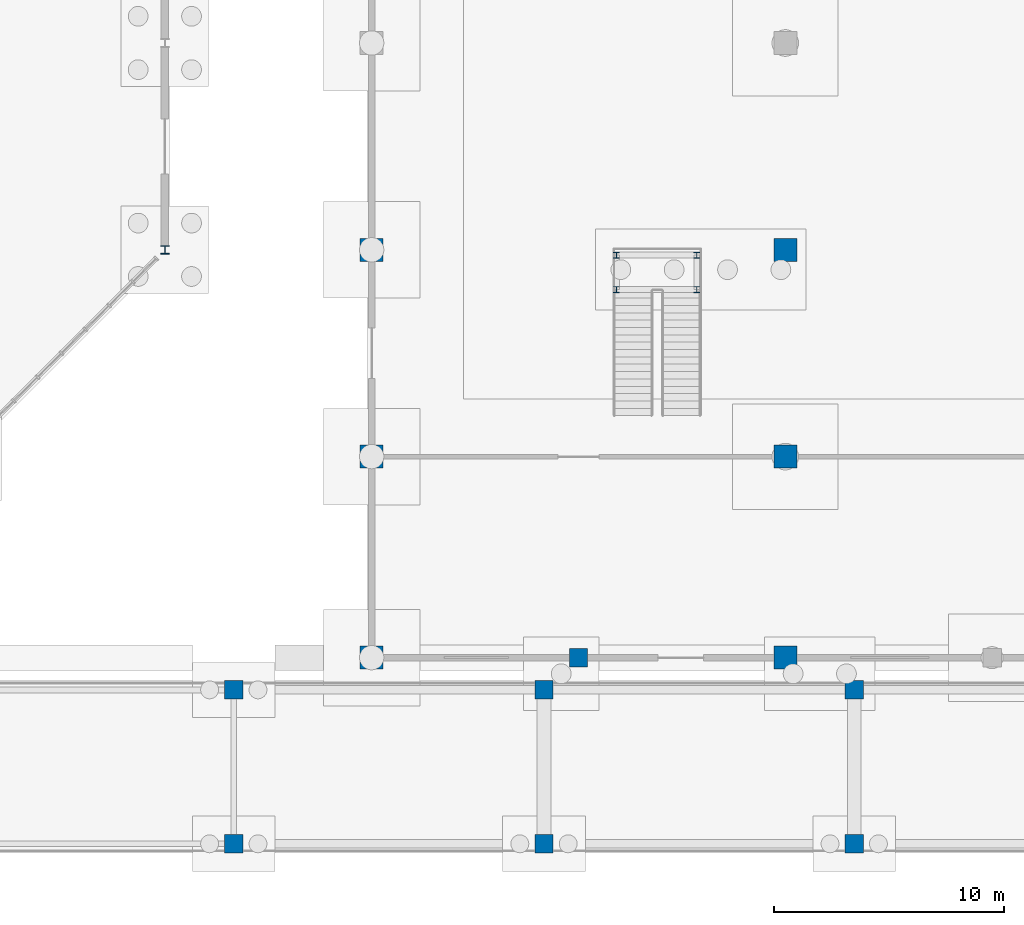
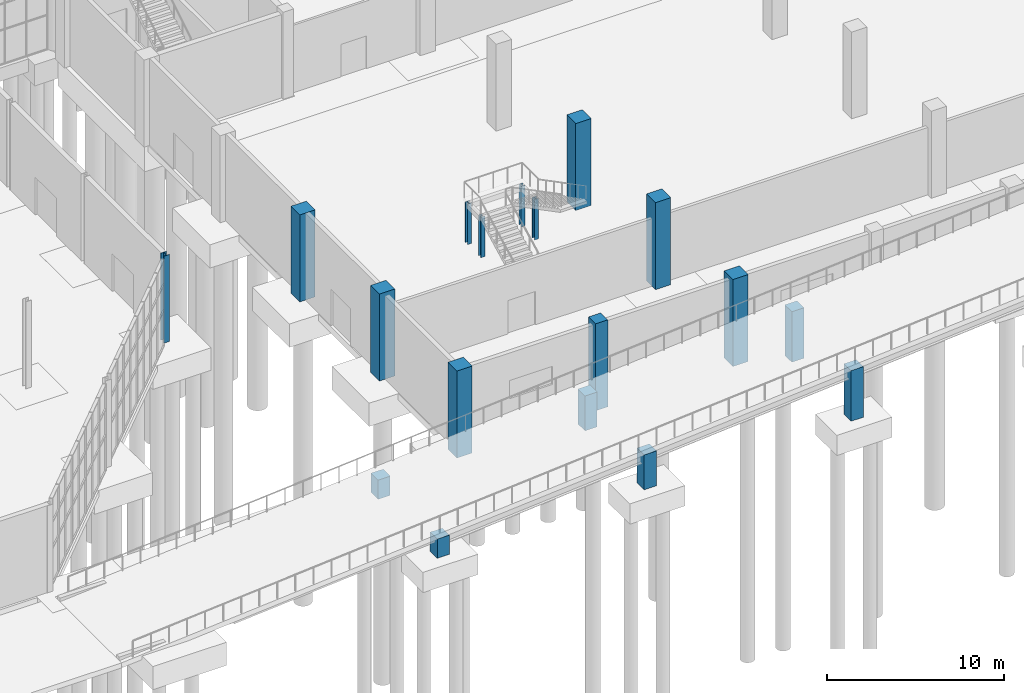
# One storey, part 13 of 131: 18 columns.
"""IFC4 building model written with IfcOpenShell, lengths in metres."""

from ifc_helpers import new_model, si_unit, direction, frame, origin, origin_2d, place, context, subcontext, project, spatial, rectangle, i_section, extrude, material, material_profile, profile_set, type_object, element, save


model = new_model("IFC4")

# Units and contexts
model_context = context("Model", 3, precision=1e-05, world=origin(), true_north=direction((0.0, 1.0)))
body_context = subcontext(model_context, "Body", "Model", "MODEL_VIEW")
ifc_project = project(units=[si_unit("LENGTHUNIT", "METRE"), si_unit("AREAUNIT", "SQUARE_METRE"), si_unit("VOLUMEUNIT", "CUBIC_METRE"), si_unit("PLANEANGLEUNIT", "RADIAN"), si_unit("MASSUNIT", "GRAM", prefix="KILO")], contexts=[model_context])

# Site, building, storey
site_placement = place(None, origin())
site = spatial("IfcSite", under=ifc_project, at=site_placement, CompositionType="ELEMENT")
building_placement = place(site_placement, origin())
building = spatial("IfcBuilding", under=site, at=building_placement, Name="Cazmaro Siding Exhibition Halls", CompositionType="ELEMENT")
storey_placement = place(building_placement, origin())
storey = spatial("IfcBuildingStorey", under=building, at=storey_placement, Name="L00", CompositionType="ELEMENT", Elevation=0.0)

# Columns
ifc_material_1 = material(Name="Steel ASTM A992 Grade 50", Category="steel")
ifc_material_profile_1 = material_profile(ifc_material_1, i_section(OverallWidth=0.373046875, OverallDepth=0.373046875, WebThickness=0.01611328125, FlangeThickness=0.02587890625, at=origin_2d()), Name="W14X132")
ifc_profile_set_1 = profile_set([ifc_material_profile_1], Name="Steel ASTM A992 Grade 50")
column_type_1 = type_object("IfcColumnType", Name="C-04", PredefinedType="COLUMN", material=ifc_profile_set_1)
column_1_placement = place(storey_placement, frame((63.0, 27.0, 0.0), z_axis=(0.0, 0.0, 1.0), x_axis=(1.0, 0.0, 0.0)))
element("IfcColumn", 1, at=column_1_placement, inside=storey, type_object=column_type_1, Name="Column C-04 COL-0814", PredefinedType="COLUMN", context=body_context, shape_type="SweptSolid", body=[
    extrude(i_section(OverallWidth=0.373046875, OverallDepth=0.373046875, WebThickness=0.01611328125, FlangeThickness=0.02587890625, at=origin_2d()), origin(), (0.0, 0.0, 1.0), 6.0),
])
ifc_material_2 = material(Name="Concrete f'c 45 MPa", Category="concrete")
ifc_material_profile_2 = material_profile(ifc_material_2, rectangle(XDim=1.0, YDim=1.0, at=origin_2d()), Name="RC1000X1000")
ifc_profile_set_2 = profile_set([ifc_material_profile_2], Name="Concrete f'c 45 MPa")
column_type_2 = type_object("IfcColumnType", Name="C-07", PredefinedType="COLUMN", material=ifc_profile_set_2)
for number, where, z_axis, x_axis, name in (
    (2, (72.0, 9.25, 0.0), (0.0, 0.0, 1.0), (1.0, 0.0, 0.0), "Column C-07 COL-0457"),
    (3, (72.0, 18.0, 0.0), (0.0, 0.0, 1.0), (1.0, 0.0, 0.0), "Column C-07 COL-0459"),
    (4, (72.0, 27.0, 0.0), (0.0, 0.0, 1.0), (1.0, 0.0, 0.0), "Column C-07 COL-0461"),
    (5, (90.0, 9.25, 0.0), (0.0, 0.0, 1.0), (1.0, 0.0, 0.0), "Column C-07 COL-0469"),
    (6, (90.0, 18.0, 0.0), (0.0, 0.0, 1.0), (1.0, 0.0, 0.0), "Column C-07 COL-0471"),
    (7, (90.0, 27.0, 0.0), (0.0, 0.0, 1.0), (1.0, 0.0, 0.0), "Column C-07 COL-0473"),
):
    element("IfcColumn", number, at=place(storey_placement, frame(where, z_axis=z_axis, x_axis=x_axis)), inside=storey, type_object=column_type_2, Name=name, PredefinedType="COLUMN", context=body_context, shape_type="SweptSolid", body=[
        extrude(rectangle(XDim=1.0, YDim=1.0, at=origin_2d()), origin(), (0.0, 0.0, 1.0), 6.0),
    ])
ifc_material_3 = material(Name="Concrete f'c 45 MPa", Category="concrete")
ifc_material_profile_3 = material_profile(ifc_material_3, rectangle(XDim=0.800048828125, YDim=0.800048828125, at=origin_2d()), Name="RC800X800")
ifc_profile_set_3 = profile_set([ifc_material_profile_3], Name="Concrete f'c 45 MPa")
column_type_3 = type_object("IfcColumnType", Name="C-08", PredefinedType="COLUMN", material=ifc_profile_set_3)
column_2_placement = place(storey_placement, frame((81.0, 9.25, 0.0), z_axis=(0.0, 0.0, 1.0), x_axis=(1.0, 0.0, 0.0)))
element("IfcColumn", 8, at=column_2_placement, inside=storey, type_object=column_type_3, Name="Column C-08 COL-0569", PredefinedType="COLUMN", context=body_context, shape_type="SweptSolid", body=[
    extrude(rectangle(XDim=0.800048828125, YDim=0.800048828125, at=origin_2d()), origin(), (0.0, 0.0, 1.0), 6.0),
])
for number, where, z_axis, x_axis, name in (
    (9, (66.0, 1.14990234375, 0.0), (0.0, 0.0, 1.0), (1.0, 0.0, 0.0), "Column C-08 COL-1121"),
    (10, (66.0, 7.85009765625, 0.0), (0.0, 0.0, 1.0), (1.0, 0.0, 0.0), "Column C-08 COL-1122"),
):
    element("IfcColumn", number, at=place(storey_placement, frame(where, z_axis=z_axis, x_axis=x_axis)), inside=storey, type_object=column_type_3, Name=name, PredefinedType="COLUMN", context=body_context, shape_type="SweptSolid", body=[
        extrude(rectangle(XDim=0.800048828125, YDim=0.800048828125, at=origin_2d()), origin(), (0.0, 0.0, 1.0), 1.323974609375),
    ])
for number, where, z_axis, x_axis, name in (
    (11, (79.5, 1.14990234375, 0.0), (0.0, 0.0, 1.0), (1.0, 0.0, 0.0), "Column C-08 COL-1123"),
    (12, (79.5, 7.85009765625, 0.0), (0.0, 0.0, 1.0), (1.0, 0.0, 0.0), "Column C-08 COL-1124"),
):
    element("IfcColumn", number, at=place(storey_placement, frame(where, z_axis=z_axis, x_axis=x_axis)), inside=storey, type_object=column_type_3, Name=name, PredefinedType="COLUMN", context=body_context, shape_type="SweptSolid", body=[
        extrude(rectangle(XDim=0.800048828125, YDim=0.800048828125, at=origin_2d()), origin(), (0.0, 0.0, 1.0), 2.404052734375),
    ])
for number, where, z_axis, x_axis, name in (
    (13, (93.0, 1.14990234375, 0.0), (0.0, 0.0, 1.0), (1.0, 0.0, 0.0), "Column C-08 COL-1125"),
    (14, (93.0, 7.85009765625, 0.0), (0.0, 0.0, 1.0), (1.0, 0.0, 0.0), "Column C-08 COL-1126"),
):
    element("IfcColumn", number, at=place(storey_placement, frame(where, z_axis=z_axis, x_axis=x_axis)), inside=storey, type_object=column_type_3, Name=name, PredefinedType="COLUMN", context=body_context, shape_type="SweptSolid", body=[
        extrude(rectangle(XDim=0.800048828125, YDim=0.800048828125, at=origin_2d()), origin(), (0.0, 0.0, 1.0), 3.48388671875),
    ])
ifc_material_4 = material(Name="Steel ASTM A992 Grade 50", Category="steel")
ifc_material_profile_4 = material_profile(ifc_material_4, i_section(OverallWidth=0.257080078125, OverallDepth=0.263916015625, WebThickness=0.011962890625, FlangeThickness=0.02001953125, at=origin_2d()), Name="W10X68")
ifc_profile_set_4 = profile_set([ifc_material_profile_4], Name="Steel ASTM A992 Grade 50")
column_type_4 = type_object("IfcColumnType", Name="C-14", PredefinedType="COLUMN", material=ifc_profile_set_4)
for number, where, z_axis, x_axis, name in (
    (15, (82.64990234375, 25.27001953125, 0.0), (0.0, 0.0, 1.0), (1.0, 0.0, 0.0), "Column C-14 COL-1189"),
    (16, (82.64990234375, 26.77001953125, 0.0), (0.0, 0.0, 1.0), (1.0, 0.0, 0.0), "Column C-14 COL-1190"),
    (17, (86.14990234375, 25.27001953125, 0.0), (0.0, 0.0, 1.0), (1.0, 0.0, 0.0), "Column C-14 COL-1191"),
    (18, (86.14990234375, 26.77001953125, 0.0), (0.0, 0.0, 1.0), (1.0, 0.0, 0.0), "Column C-14 COL-1192"),
):
    element("IfcColumn", number, at=place(storey_placement, frame(where, z_axis=z_axis, x_axis=x_axis)), inside=storey, type_object=column_type_4, Name=name, PredefinedType="COLUMN", context=body_context, shape_type="SweptSolid", body=[
        extrude(i_section(OverallWidth=0.257080078125, OverallDepth=0.263916015625, WebThickness=0.011962890625, FlangeThickness=0.02001953125, at=origin_2d()), origin(), (0.0, 0.0, 1.0), 2.800048828125),
    ])

save(model, "model.ifc")
